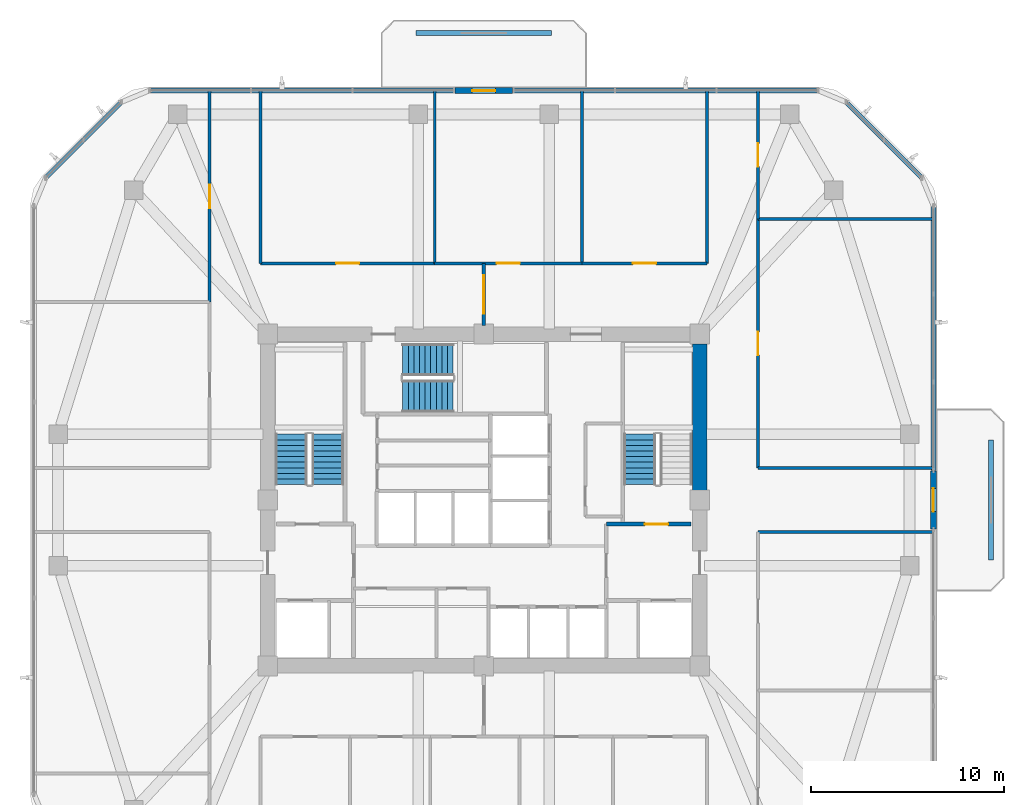
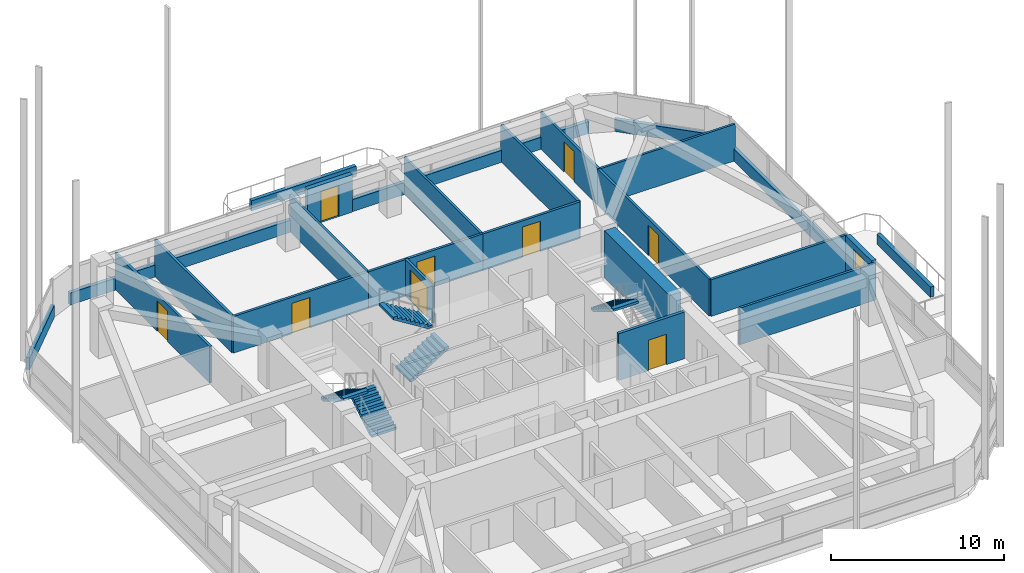
# One storey, part 10 of 14: 25 walls, 10 doors, 5 stair flights, 10 openings, 3 elements without a shape of their own.
"""IFC4 building model written with IfcOpenShell, lengths in metres."""

from ifc_helpers import new_model, si_unit, derived_unit, direction, frame, frame_2d, origin, place, context, subcontext, project, spatial, polyline, rectangle, outline, extrude, material, layer, layer_set, type_object, element, fill, aggregate, save


model = new_model("IFC4")

# Units and contexts
model_context = context("Model", 3, precision=1e-05, world=origin(), true_north=direction((0.0, 1.0)))
body_context = subcontext(model_context, "Body", "Model", "MODEL_VIEW")
ifc_project = project(units=[si_unit("LENGTHUNIT", "METRE"), si_unit("AREAUNIT", "SQUARE_METRE"), si_unit("VOLUMEUNIT", "CUBIC_METRE"), si_unit("PLANEANGLEUNIT", "RADIAN"), si_unit("MASSUNIT", "GRAM", prefix="KILO"), derived_unit("THERMALTRANSMITTANCEUNIT", [(si_unit("POWERUNIT", "WATT"), 1), (si_unit("LENGTHUNIT", "METRE"), -2), (si_unit("THERMODYNAMICTEMPERATUREUNIT", "KELVIN"), -1)])], contexts=[model_context])

# Site, building, storey
site_placement = place(None, origin())
site = spatial("IfcSite", under=ifc_project, at=site_placement, CompositionType="ELEMENT")
building_placement = place(site_placement, origin())
building = spatial("IfcBuilding", under=site, at=building_placement, Name="Koralith Skygarden Medical Center", CompositionType="ELEMENT")
storey_placement = place(building_placement, frame((0.0, 0.0, 174.419921875)))
storey = spatial("IfcBuildingStorey", under=building, at=storey_placement, Name="L45", CompositionType="ELEMENT", Elevation=174.419921875)

# Walls
ifc_material_1 = material(Name="Gypsum Board Partition")
ifc_layer_1 = layer(ifc_material_1, 0.14990234375)
ifc_layer_set_1 = layer_set([ifc_layer_1], Name="Gypsum Board Partition")
wall_type_1 = type_object("IfcWallType", Name="Clinical Acoustic Partition 150", PredefinedType="PARTITIONING", material=ifc_layer_set_1)
for number, where, z_axis, x_axis, name in (
    (1, (34.45703125, 38.159912109375, 0.0), (0.0, 0.0, 1.0), (0.0, 1.0, 0.0), "L45 Clinical Acoustic Partition 150 W-PART-L45-N-01"),
    (2, (42.0859375, 38.159912109375, 0.0), (0.0, 0.0, 1.0), (0.0, 1.0, 0.0), "L45 Clinical Acoustic Partition 150 W-PART-L45-N-02"),
):
    element("IfcWall", number, at=place(storey_placement, frame(where, z_axis=z_axis, x_axis=x_axis)), inside=storey, type_object=wall_type_1, Name=name, PredefinedType="PARTITIONING", context=body_context, shape_type="SweptSolid", body=[
        extrude(rectangle(XDim=8.940185546875, YDim=0.14990234375, at=frame_2d((4.47021484375, 0.0))), origin(), (0.0, 0.0, 1.0), 2.590087890625),
    ])
wall_1_placement = place(storey_placement, frame((51.2099609375, 40.4560546875, 0.0), z_axis=(0.0, 0.0, 1.0), x_axis=(1.0, 0.0, 0.0)))
element("IfcWall", 3, at=wall_1_placement, inside=storey, type_object=wall_type_1, Name="L45 Clinical Acoustic Partition 150 W-PART-L45-EN-01", PredefinedType="PARTITIONING", context=body_context, shape_type="SweptSolid", body=[
    extrude(rectangle(XDim=9.073974609375, YDim=0.14990234375, at=frame_2d((4.537109375, 0.0))), origin(), (0.0, 0.0, 1.0), 2.590087890625),
])
ifc_layer_2 = layer(ifc_material_1, 0.1650390625)
ifc_layer_set_2 = layer_set([ifc_layer_2], Name="Gypsum Board Partition")
wall_type_2 = type_object("IfcWallType", Name="Clinical Corridor Partition 165", PredefinedType="PARTITIONING", material=ifc_layer_set_2)
for number, where, z_axis, x_axis, name in (
    (4, (25.429931640625, 38.159912109375, 0.0), (0.0, 0.0, 1.0), (0.0, 1.0, 0.0), "L45 Clinical Corridor Partition 165 W-HCOR-L45-NW"),
    (5, (48.570068359375, 38.159912109375, 0.0), (0.0, 0.0, 1.0), (0.0, 1.0, 0.0), "L45 Clinical Corridor Partition 165 W-HCOR-L45-NE"),
):
    element("IfcWall", number, at=place(storey_placement, frame(where, z_axis=z_axis, x_axis=x_axis)), inside=storey, type_object=wall_type_2, Name=name, PredefinedType="PARTITIONING", context=body_context, shape_type="SweptSolid", body=[
        extrude(rectangle(XDim=8.940185546875, YDim=0.1650390625, at=frame_2d((4.47021484375, 0.0))), origin(), (0.0, 0.0, 1.0), 2.590087890625),
    ])
for number, where, z_axis, x_axis, name in (
    (6, (51.2099609375, 24.239990234375, 0.0), (0.0, 0.0, 1.0), (1.0, 0.0, 0.0), "L45 Clinical Corridor Partition 165 W-HCOR-L45-EWS-E"),
    (7, (51.2099609375, 27.56005859375, 0.0), (0.0, 0.0, 1.0), (1.0, 0.0, 0.0), "L45 Clinical Corridor Partition 165 W-HCOR-L45-EWN-E"),
):
    element("IfcWall", number, at=place(storey_placement, frame(where, z_axis=z_axis, x_axis=x_axis)), inside=storey, type_object=wall_type_2, Name=name, PredefinedType="PARTITIONING", context=body_context, shape_type="SweptSolid", body=[
        extrude(rectangle(XDim=9.073974609375, YDim=0.1650390625, at=frame_2d((4.537109375, 0.0))), origin(), (0.0, 0.0, 1.0), 2.590087890625),
    ])

# Wall, opening, door
wall_2_placement = place(storey_placement, frame((25.429931640625, 38.159912109375, 0.0), z_axis=(0.0, 0.0, 1.0), x_axis=(1.0, 0.0, 0.0)))
wall_2 = element("IfcWall", 8, at=wall_2_placement, inside=storey, type_object=wall_type_2, Name="L45 Clinical Corridor Partition 165 W-CORR-L45-N-01", PredefinedType="PARTITIONING", context=body_context, shape_type="SweptSolid", body=[
    extrude(rectangle(XDim=9.027099609375, YDim=0.1650390625, at=frame_2d((4.513671875, 0.0))), origin(), (0.0, 0.0, 1.0), 2.590087890625),
])
opening_1_placement = place(wall_2_placement, frame((3.9140625, 0.0, 0.0)))
opening_1 = element("IfcOpeningElement", 9, at=opening_1_placement, cuts=wall_2, Name="Opening D-CLN", PredefinedType="OPENING", context=body_context, shape_type="SweptSolid", body=[
    extrude(rectangle(XDim=1.199951171875, YDim=2.14990234375, at=frame_2d((0.60009765625, 1.074951171875))), frame((0.0, 0.092529296875, 0.0), z_axis=(0.0, -1.0, 0.0), x_axis=(1.0, 0.0, 0.0)), (0.0, 0.0, 1.0), 0.18505859375),
])
ifc_material_2 = material(Name="Aluminium 6063-T6", Category="aluminium")
door_type_1 = type_object("IfcDoorType", Name="Clinical Corridor Door D-CLN 1200", OperationType="NOTDEFINED", PredefinedType="DOOR", material=ifc_material_2)
door_1_placement = place(opening_1_placement, origin())
door_1 = element("IfcDoor", 10, at=door_1_placement, inside=storey, type_object=door_type_1, Name="L45 Surgical Morbidity Seminar Room 01 Door", OperationType="SINGLE_SWING_RIGHT", OverallHeight=2.14990234375, OverallWidth=1.199951171875, PredefinedType="DOOR", context=body_context, shape_type="SweptSolid", body=[
    extrude(rectangle(XDim=1.199951171875, YDim=2.14990234375, at=frame_2d((0.60009765625, 1.074951171875))), frame((0.0, 0.02490234375, 0.0), z_axis=(0.0, -1.0, 0.0), x_axis=(1.0, 0.0, 0.0)), (0.0, 0.0, 1.0), 0.050048828125),
])
fill(opening_1, door_1)

wall_3_placement = place(storey_placement, frame((34.45703125, 38.159912109375, 0.0), z_axis=(0.0, 0.0, 1.0), x_axis=(1.0, 0.0, 0.0)))
wall_3 = element("IfcWall", 11, at=wall_3_placement, inside=storey, type_object=wall_type_2, Name="L45 Clinical Corridor Partition 165 W-CORR-L45-N-02", PredefinedType="PARTITIONING", context=body_context, shape_type="SweptSolid", body=[
    extrude(rectangle(XDim=7.62890625, YDim=0.1650390625, at=frame_2d((3.814453125, 0.0))), origin(), (0.0, 0.0, 1.0), 2.590087890625),
])
opening_2_placement = place(wall_3_placement, frame((3.214111328125, 0.0, 0.0)))
opening_2 = element("IfcOpeningElement", 12, at=opening_2_placement, cuts=wall_3, Name="Opening D-CLN", PredefinedType="OPENING", context=body_context, shape_type="SweptSolid", body=[
    extrude(rectangle(XDim=1.199951171875, YDim=2.14990234375, at=frame_2d((0.60009765625, 1.074951171875))), frame((0.0, 0.092529296875, 0.0), z_axis=(0.0, -1.0, 0.0), x_axis=(1.0, 0.0, 0.0)), (0.0, 0.0, 1.0), 0.18505859375),
])
door_2_placement = place(opening_2_placement, origin())
door_2 = element("IfcDoor", 13, at=door_2_placement, inside=storey, type_object=door_type_1, Name="L45 Patient and Family Sky-Garden Day Lounge 02 Door", OperationType="SINGLE_SWING_LEFT", OverallHeight=2.14990234375, OverallWidth=1.199951171875, PredefinedType="DOOR", context=body_context, shape_type="SweptSolid", body=[
    extrude(rectangle(XDim=1.199951171875, YDim=2.14990234375, at=frame_2d((0.60009765625, 1.074951171875))), frame((0.0, 0.02490234375, 0.0), z_axis=(0.0, -1.0, 0.0), x_axis=(1.0, 0.0, 0.0)), (0.0, 0.0, 1.0), 0.050048828125),
])
fill(opening_2, door_2)

wall_4_placement = place(storey_placement, frame((42.0859375, 38.159912109375, 0.0), z_axis=(0.0, 0.0, 1.0), x_axis=(1.0, 0.0, 0.0)))
wall_4 = element("IfcWall", 14, at=wall_4_placement, inside=storey, type_object=wall_type_2, Name="L45 Clinical Corridor Partition 165 W-CORR-L45-N-03", PredefinedType="PARTITIONING", context=body_context, shape_type="SweptSolid", body=[
    extrude(rectangle(XDim=6.484130859375, YDim=0.1650390625, at=frame_2d((3.2421875, 0.0))), origin(), (0.0, 0.0, 1.0), 2.590087890625),
])
opening_3_placement = place(wall_4_placement, frame((2.64208984375, 0.0, 0.0)))
opening_3 = element("IfcOpeningElement", 15, at=opening_3_placement, cuts=wall_4, Name="Opening D-CLN", PredefinedType="OPENING", context=body_context, shape_type="SweptSolid", body=[
    extrude(rectangle(XDim=1.199951171875, YDim=2.14990234375, at=frame_2d((0.60009765625, 1.074951171875))), frame((0.0, 0.092529296875, 0.0), z_axis=(0.0, -1.0, 0.0), x_axis=(1.0, 0.0, 0.0)), (0.0, 0.0, 1.0), 0.18505859375),
])
door_3_placement = place(opening_3_placement, origin())
door_3 = element("IfcDoor", 16, at=door_3_placement, inside=storey, type_object=door_type_1, Name="L45 Endoscopy Scope Supply Store 03 Door", OperationType="SINGLE_SWING_RIGHT", OverallHeight=2.14990234375, OverallWidth=1.199951171875, PredefinedType="DOOR", context=body_context, shape_type="SweptSolid", body=[
    extrude(rectangle(XDim=1.199951171875, YDim=2.14990234375, at=frame_2d((0.60009765625, 1.074951171875))), frame((0.0, 0.02490234375, 0.0), z_axis=(0.0, -1.0, 0.0), x_axis=(1.0, 0.0, 0.0)), (0.0, 0.0, 1.0), 0.050048828125),
])
fill(opening_3, door_3)

wall_5_placement = place(storey_placement, frame((22.7900390625, 36.157958984375, 0.0), z_axis=(0.0, 0.0, 1.0), x_axis=(0.0, 1.0, 0.0)))
wall_5 = element("IfcWall", 17, at=wall_5_placement, inside=storey, type_object=wall_type_2, Name="L45 Clinical Corridor Partition 165 W-CORR-L45-WN-02", PredefinedType="PARTITIONING", context=body_context, shape_type="SweptSolid", body=[
    extrude(rectangle(XDim=10.942138671875, YDim=0.1650390625, at=frame_2d((5.47119140625, 0.0))), origin(), (0.0, 0.0, 1.0), 2.590087890625),
])
opening_4_placement = place(wall_5_placement, frame((4.87109375, 0.0, 0.0)))
opening_4 = element("IfcOpeningElement", 18, at=opening_4_placement, cuts=wall_5, Name="Opening D-CLN", PredefinedType="OPENING", context=body_context, shape_type="SweptSolid", body=[
    extrude(rectangle(XDim=1.199951171875, YDim=2.14990234375, at=frame_2d((0.60009765625, 1.074951171875))), frame((0.0, 0.092529296875, 0.0), z_axis=(0.0, -1.0, 0.0), x_axis=(1.0, 0.0, 0.0)), (0.0, 0.0, 1.0), 0.18505859375),
])
door_4_placement = place(opening_4_placement, frame((1.199951171875, 0.0, 0.0), z_axis=(0.0, 0.0, 1.0), x_axis=(-1.0, 0.0, 0.0)))
door_4 = element("IfcDoor", 19, at=door_4_placement, inside=storey, type_object=door_type_1, Name="L45 Sterile Pack Store 12 Door", OperationType="SINGLE_SWING_LEFT", OverallHeight=2.14990234375, OverallWidth=1.199951171875, PredefinedType="DOOR", context=body_context, shape_type="SweptSolid", body=[
    extrude(rectangle(XDim=1.199951171875, YDim=2.14990234375, at=frame_2d((0.60009765625, 1.074951171875))), frame((0.0, 0.02490234375, 0.0), z_axis=(0.0, -1.0, 0.0), x_axis=(1.0, 0.0, 0.0)), (0.0, 0.0, 1.0), 0.050048828125),
])
fill(opening_4, door_4)

wall_6_placement = place(storey_placement, frame((51.2099609375, 27.56005859375, 0.0), z_axis=(0.0, 0.0, 1.0), x_axis=(0.0, 1.0, 0.0)))
wall_6 = element("IfcWall", 20, at=wall_6_placement, inside=storey, type_object=wall_type_2, Name="L45 Clinical Corridor Partition 165 W-CORR-L45-EN-01", PredefinedType="PARTITIONING", context=body_context, shape_type="SweptSolid", body=[
    extrude(rectangle(XDim=12.89599609375, YDim=0.1650390625, at=frame_2d((6.447998046875, 0.0))), origin(), (0.0, 0.0, 1.0), 2.590087890625),
])
opening_5_placement = place(wall_6_placement, frame((5.847900390625, 0.0, 0.0)))
opening_5 = element("IfcOpeningElement", 21, at=opening_5_placement, cuts=wall_6, Name="Opening D-CLN", PredefinedType="OPENING", context=body_context, shape_type="SweptSolid", body=[
    extrude(rectangle(XDim=1.199951171875, YDim=2.14990234375, at=frame_2d((0.60009765625, 1.074951171875))), frame((0.0, 0.092529296875, 0.0), z_axis=(0.0, -1.0, 0.0), x_axis=(1.0, 0.0, 0.0)), (0.0, 0.0, 1.0), 0.18505859375),
])
door_5_placement = place(opening_5_placement, origin())
door_5 = element("IfcDoor", 22, at=door_5_placement, inside=storey, type_object=door_type_1, Name="L45 Endoscopy Scope Supply Store 15 Door", OperationType="SINGLE_SWING_RIGHT", OverallHeight=2.14990234375, OverallWidth=1.199951171875, PredefinedType="DOOR", context=body_context, shape_type="SweptSolid", body=[
    extrude(rectangle(XDim=1.199951171875, YDim=2.14990234375, at=frame_2d((0.60009765625, 1.074951171875))), frame((0.0, 0.02490234375, 0.0), z_axis=(0.0, -1.0, 0.0), x_axis=(1.0, 0.0, 0.0)), (0.0, 0.0, 1.0), 0.050048828125),
])
fill(opening_5, door_5)

wall_7_placement = place(storey_placement, frame((51.2099609375, 40.4560546875, 0.0), z_axis=(0.0, 0.0, 1.0), x_axis=(0.0, 1.0, 0.0)))
wall_7 = element("IfcWall", 23, at=wall_7_placement, inside=storey, type_object=wall_type_2, Name="L45 Clinical Corridor Partition 165 W-CORR-L45-EN-02", PredefinedType="PARTITIONING", context=body_context, shape_type="SweptSolid", body=[
    extrude(rectangle(XDim=6.64404296875, YDim=0.1650390625, at=frame_2d((3.322021484375, 0.0))), origin(), (0.0, 0.0, 1.0), 2.590087890625),
])
opening_6_placement = place(wall_7_placement, frame((2.721923828125, 0.0, 0.0)))
opening_6 = element("IfcOpeningElement", 24, at=opening_6_placement, cuts=wall_7, Name="Opening D-CLN", PredefinedType="OPENING", context=body_context, shape_type="SweptSolid", body=[
    extrude(rectangle(XDim=1.199951171875, YDim=2.14990234375, at=frame_2d((0.60009765625, 1.074951171875))), frame((0.0, 0.092529296875, 0.0), z_axis=(0.0, -1.0, 0.0), x_axis=(1.0, 0.0, 0.0)), (0.0, 0.0, 1.0), 0.18505859375),
])
door_6_placement = place(opening_6_placement, origin())
door_6 = element("IfcDoor", 25, at=door_6_placement, inside=storey, type_object=door_type_1, Name="L45 Sterile Pack Store 16 Door", OperationType="SINGLE_SWING_LEFT", OverallHeight=2.14990234375, OverallWidth=1.199951171875, PredefinedType="DOOR", context=body_context, shape_type="SweptSolid", body=[
    extrude(rectangle(XDim=1.199951171875, YDim=2.14990234375, at=frame_2d((0.60009765625, 1.074951171875))), frame((0.0, 0.02490234375, 0.0), z_axis=(0.0, -1.0, 0.0), x_axis=(1.0, 0.0, 0.0)), (0.0, 0.0, 1.0), 0.050048828125),
])
fill(opening_6, door_6)

ifc_layer_3 = layer(ifc_material_1, 0.179931640625)
ifc_layer_set_3 = layer_set([ifc_layer_3], Name="Gypsum Board Partition")
wall_type_3 = type_object("IfcWallType", Name="Group I-2 Smoke Barrier Wall 180", PredefinedType="PARTITIONING", material=ifc_layer_set_3)
wall_8_placement = place(storey_placement, frame((37.0, 34.949951171875, 0.0), z_axis=(0.0, 0.0, 1.0), x_axis=(0.0, 1.0, 0.0)))
wall_8 = element("IfcWall", 26, at=wall_8_placement, inside=storey, type_object=wall_type_3, Name="L45 Group I-2 Smoke Barrier Wall 180 W-SMK-L45-N", PredefinedType="PARTITIONING", context=body_context, shape_type="SweptSolid", body=[
    extrude(rectangle(XDim=3.2099609375, YDim=0.179931640625, at=frame_2d((1.60498046875, 0.0))), origin(), (0.0, 0.0, 1.0), 2.590087890625),
])
opening_7_placement = place(wall_8_placement, frame((0.60498046875, 0.0, 0.0)))
opening_7 = element("IfcOpeningElement", 27, at=opening_7_placement, cuts=wall_8, Name="Opening D-SMK", PredefinedType="OPENING", context=body_context, shape_type="SweptSolid", body=[
    extrude(rectangle(XDim=2.0, YDim=2.199951171875, at=frame_2d((1.0, 1.10009765625))), frame((0.0, 0.099853515625, 0.0), z_axis=(0.0, -1.0, 0.0), x_axis=(1.0, 0.0, 0.0)), (0.0, 0.0, 1.0), 0.199951171875),
])
ifc_material_3 = material(Name="Steel ASTM A500 Grade C", Category="steel")
door_type_2 = type_object("IfcDoorType", Name="Cross-Corridor Double Smoke Door FD60S 2000", OperationType="NOTDEFINED", PredefinedType="DOOR", material=ifc_material_3)
door_7_placement = place(opening_7_placement, origin())
door_7 = element("IfcDoor", 28, at=door_7_placement, inside=storey, type_object=door_type_2, Name="L45 N Smoke Compartment Cross-Corridor Door", OperationType="DOUBLE_DOOR_SINGLE_SWING", OverallHeight=2.199951171875, OverallWidth=2.0, PredefinedType="DOOR", context=body_context, shape_type="SweptSolid", body=[
    extrude(rectangle(XDim=2.0, YDim=2.199951171875, at=frame_2d((1.0, 1.10009765625))), frame((0.0, 0.02490234375, 0.0), z_axis=(0.0, -1.0, 0.0), x_axis=(1.0, 0.0, 0.0)), (0.0, 0.0, 1.0), 0.050048828125),
])
fill(opening_7, door_7)

# Walls
ifc_material_4 = material(Name="Warm Oolitic Limestone Cladding", Category="masonry")
ifc_layer_4 = layer(ifc_material_4, 0.239990234375)
ifc_layer_set_4 = layer_set([ifc_layer_4], Name="Warm Oolitic Limestone Cladding")
wall_type_4 = type_object("IfcWallType", Name="Limestone Spandrel Sill Backup Wall 240", PredefinedType="SOLIDWALL", material=ifc_layer_set_4)
wall_9_placement = place(storey_placement, frame((60.303955078125, 27.43994140625, 0.0), z_axis=(0.0, 0.0, 1.0), x_axis=(0.0, 1.0, 0.0)))
element("IfcWall", 29, at=wall_9_placement, inside=storey, type_object=wall_type_4, Name="L45 Sill Spandrel E-R", PredefinedType="SOLIDWALL", context=body_context, shape_type="SweptSolid", body=[
    extrude(rectangle(XDim=13.705078125, YDim=0.239990234375, at=frame_2d((6.8525390625, 0.0))), origin(), (0.0, 0.0, 1.0), 0.85009765625),
])
wall_10_placement = place(storey_placement, frame((59.702880859375, 42.595947265625, 0.0), z_axis=(0.0, 0.0, 1.0), x_axis=(-0.707084777957, 0.707128783731, 0.0)))
element("IfcWall", 30, at=wall_10_placement, inside=storey, type_object=wall_type_4, Name="L45 Sill Spandrel NE", PredefinedType="SOLIDWALL", context=body_context, shape_type="SweptSolid", body=[
    extrude(rectangle(XDim=5.5478515625, YDim=0.239990234375, at=frame_2d((2.77392578125, 0.0))), origin(), (0.0, 0.0, 1.0), 0.85009765625),
])
wall_11_placement = place(storey_placement, frame((54.3291015625, 47.1201171875, 0.0), z_axis=(0.0, 0.0, 1.0), x_axis=(-1.0, 0.0, 0.0)))
element("IfcWall", 31, at=wall_11_placement, inside=storey, type_object=wall_type_4, Name="L45 Sill Spandrel N-L", PredefinedType="SOLIDWALL", context=body_context, shape_type="SweptSolid", body=[
    extrude(rectangle(XDim=15.7880859375, YDim=0.239990234375, at=frame_2d((7.89404296875, 0.0))), origin(), (0.0, 0.0, 1.0), 0.85009765625),
])
wall_12_placement = place(storey_placement, frame((35.4609375, 47.1201171875, 0.0), z_axis=(0.0, 0.0, 1.0), x_axis=(-1.0, 0.0, 0.0)))
element("IfcWall", 32, at=wall_12_placement, inside=storey, type_object=wall_type_4, Name="L45 Sill Spandrel N-R", PredefinedType="SOLIDWALL", context=body_context, shape_type="SweptSolid", body=[
    extrude(rectangle(XDim=15.7900390625, YDim=0.239990234375, at=frame_2d((7.89501953125, 0.0))), origin(), (0.0, 0.0, 1.0), 0.85009765625),
])
wall_13_placement = place(storey_placement, frame((18.219970703125, 46.51904296875, 0.0), z_axis=(0.0, 0.0, 1.0), x_axis=(-0.707084777957, -0.707128783731, 0.0)))
element("IfcWall", 33, at=wall_13_placement, inside=storey, type_object=wall_type_4, Name="L45 Sill Spandrel NW", PredefinedType="SOLIDWALL", context=body_context, shape_type="SweptSolid", body=[
    extrude(rectangle(XDim=5.5478515625, YDim=0.239990234375, at=frame_2d((2.77392578125, 0.0))), origin(), (0.0, 0.0, 1.0), 0.85009765625),
])
ifc_material_5 = material(Name="Concrete C70/85", Category="concrete")
ifc_layer_5 = layer(ifc_material_5, 0.75)
ifc_layer_set_5 = layer_set([ifc_layer_5], Name="Concrete C70/85")
wall_type_5 = type_object("IfcWallType", Name="Mid Core Shear Wall 750", PredefinedType="SHEAR", material=ifc_layer_set_5)
wall_14_placement = place(storey_placement, frame((48.199951171875, 26.405029296875, 0.0), z_axis=(0.0, 0.0, 1.0), x_axis=(0.0, 1.0, 0.0)))
element("IfcWall", 34, at=wall_14_placement, inside=storey, type_object=wall_type_5, Name="L45 Core Shear Wall Segment 4", PredefinedType="SHEAR", context=body_context, shape_type="SweptSolid", body=[
    extrude(rectangle(XDim=7.590087890625, YDim=0.75, at=frame_2d((3.794921875, 0.0))), origin(), (0.0, 0.0, 1.0), 3.300048828125),
])

# Wall, opening, door
ifc_layer_6 = layer(ifc_material_4, 0.300048828125)
ifc_layer_set_6 = layer_set([ifc_layer_6], Name="Warm Oolitic Limestone Cladding")
wall_type_6 = type_object("IfcWallType", Name="Oolitic Limestone Insulated Facade Wall 300", PredefinedType="SOLIDWALL", material=ifc_layer_set_6)
wall_15_placement = place(storey_placement, frame((60.303955078125, 24.39990234375, 0.0), z_axis=(0.0, 0.0, 1.0), x_axis=(0.0, 1.0, 0.0)))
wall_15 = element("IfcWall", 35, at=wall_15_placement, inside=storey, type_object=wall_type_6, Name="L45 Terrace Portal Wall E", PredefinedType="SOLIDWALL", context=body_context, shape_type="SweptSolid", body=[
    extrude(rectangle(XDim=3.0, YDim=0.300048828125, at=frame_2d((1.5, 0.0))), origin(), (0.0, 0.0, 1.0), 2.650146484375),
])
opening_8_placement = place(wall_15_placement, frame((0.89990234375, 0.0, 0.0)))
opening_8 = element("IfcOpeningElement", 36, at=opening_8_placement, cuts=wall_15, Name="Opening D-BAL", PredefinedType="OPENING", context=body_context, shape_type="SweptSolid", body=[
    extrude(rectangle(XDim=1.199951171875, YDim=2.199951171875, at=frame_2d((0.60009765625, 1.10009765625))), frame((0.0, 0.159912109375, 0.0), z_axis=(0.0, -1.0, 0.0), x_axis=(1.0, 0.0, 0.0)), (0.0, 0.0, 1.0), 0.320068359375),
])
door_type_3 = type_object("IfcDoorType", Name="Planted Balcony Glazed Terrace Door D-BAL 1200", OperationType="NOTDEFINED", PredefinedType="DOOR", material=ifc_material_2)
door_8_placement = place(opening_8_placement, origin())
door_8 = element("IfcDoor", 37, at=door_8_placement, inside=storey, type_object=door_type_3, Name="L45 E Outdoor Terrace Access Door", OperationType="SINGLE_SWING_RIGHT", OverallHeight=2.199951171875, OverallWidth=1.199951171875, PredefinedType="DOOR", context=body_context, shape_type="SweptSolid", body=[
    extrude(rectangle(XDim=1.199951171875, YDim=2.199951171875, at=frame_2d((0.60009765625, 1.10009765625))), frame((0.0, 0.02490234375, 0.0), z_axis=(0.0, -1.0, 0.0), x_axis=(1.0, 0.0, 0.0)), (0.0, 0.0, 1.0), 0.050048828125),
])
fill(opening_8, door_8)

wall_16_placement = place(storey_placement, frame((38.5009765625, 47.1201171875, 0.0), z_axis=(0.0, 0.0, 1.0), x_axis=(-1.0, 0.0, 0.0)))
wall_16 = element("IfcWall", 38, at=wall_16_placement, inside=storey, type_object=wall_type_6, Name="L45 Terrace Portal Wall N", PredefinedType="SOLIDWALL", context=body_context, shape_type="SweptSolid", body=[
    extrude(rectangle(XDim=3.0, YDim=0.300048828125, at=frame_2d((1.5, 0.0))), origin(), (0.0, 0.0, 1.0), 2.650146484375),
])
opening_9_placement = place(wall_16_placement, frame((0.89990234375, 0.0, 0.0)))
opening_9 = element("IfcOpeningElement", 39, at=opening_9_placement, cuts=wall_16, Name="Opening D-BAL", PredefinedType="OPENING", context=body_context, shape_type="SweptSolid", body=[
    extrude(rectangle(XDim=1.199951171875, YDim=2.199951171875, at=frame_2d((0.60009765625, 1.10009765625))), frame((0.0, 0.159912109375, 0.0), z_axis=(0.0, -1.0, 0.0), x_axis=(1.0, 0.0, 0.0)), (0.0, 0.0, 1.0), 0.320068359375),
])
door_9_placement = place(opening_9_placement, origin())
door_9 = element("IfcDoor", 40, at=door_9_placement, inside=storey, type_object=door_type_3, Name="L45 N Outdoor Terrace Access Door", OperationType="SINGLE_SWING_RIGHT", OverallHeight=2.199951171875, OverallWidth=1.199951171875, PredefinedType="DOOR", context=body_context, shape_type="SweptSolid", body=[
    extrude(rectangle(XDim=1.199951171875, YDim=2.199951171875, at=frame_2d((0.60009765625, 1.10009765625))), frame((0.0, 0.02490234375, 0.0), z_axis=(0.0, -1.0, 0.0), x_axis=(1.0, 0.0, 0.0)), (0.0, 0.0, 1.0), 0.050048828125),
])
fill(opening_9, door_9)

# Walls
ifc_material_6 = material(Name="Precast concrete C40/50", Category="concrete")
ifc_layer_7 = layer(ifc_material_6, 0.25)
ifc_layer_set_7 = layer_set([ifc_layer_7], Name="Precast concrete C40/50")
wall_type_7 = type_object("IfcWallType", Name="Structural Concrete Balcony Planter Kerb 250", PredefinedType="PARAPET", material=ifc_layer_set_7)
wall_17_placement = place(storey_placement, frame((33.5, 50.10009765625, 0.0), z_axis=(0.0, 0.0, 1.0), x_axis=(1.0, 0.0, 0.0)))
element("IfcWall", 41, at=wall_17_placement, inside=storey, type_object=wall_type_7, Name="L45 N Structural Tree PLANTER Box", PredefinedType="PARAPET", context=body_context, shape_type="SweptSolid", body=[
    extrude(rectangle(XDim=7.0, YDim=0.25, at=frame_2d((3.5, 0.0))), origin(), (0.0, 0.0, 1.0), 0.719970703125),
])
wall_18_placement = place(storey_placement, frame((63.283935546875, 22.800048828125, 0.0), z_axis=(0.0, 0.0, 1.0), x_axis=(0.0, 1.0, 0.0)))
element("IfcWall", 42, at=wall_18_placement, inside=storey, type_object=wall_type_7, Name="L45 E Structural Tree PLANTER Box", PredefinedType="PARAPET", context=body_context, shape_type="SweptSolid", body=[
    extrude(rectangle(XDim=6.199951171875, YDim=0.25, at=frame_2d((3.10009765625, 0.0))), origin(), (0.0, 0.0, 1.0), 0.719970703125),
])

# Wall, opening, door
ifc_material_7 = material(Name="Concrete C45/55", Category="concrete")
ifc_layer_8 = layer(ifc_material_7, 0.199951171875)
ifc_layer_set_8 = layer_set([ifc_layer_8], Name="Concrete C45/55")
wall_type_8 = type_object("IfcWallType", Name="Structural Stair Shaft Wall 200", PredefinedType="SHEAR", material=ifc_layer_set_8)
wall_19_placement = place(storey_placement, frame((43.35009765625, 24.64990234375, 0.0), z_axis=(0.0, 0.0, 1.0), x_axis=(1.0, 0.0, 0.0)))
wall_19 = element("IfcWall", 43, at=wall_19_placement, inside=storey, type_object=wall_type_8, Name="L45 Structural Stair Shaft Wall 200 W-CORE-L45-ST2-S", PredefinedType="SHEAR", context=body_context, shape_type="SweptSolid", body=[
    extrude(rectangle(XDim=4.39990234375, YDim=0.199951171875, at=frame_2d((2.199951171875, 0.0))), origin(), (0.0, 0.0, 1.0), 3.300048828125),
])
opening_10_placement = place(wall_19_placement, frame((2.0, 0.0, 0.0)))
opening_10 = element("IfcOpeningElement", 44, at=opening_10_placement, cuts=wall_19, Name="Opening D-ST60", PredefinedType="OPENING", context=body_context, shape_type="SweptSolid", body=[
    extrude(rectangle(XDim=1.199951171875, YDim=2.14990234375, at=frame_2d((0.60009765625, 1.074951171875))), frame((0.0, 0.10986328125, 0.0), z_axis=(0.0, -1.0, 0.0), x_axis=(1.0, 0.0, 0.0)), (0.0, 0.0, 1.0), 0.219970703125),
])
door_type_4 = type_object("IfcDoorType", Name="Smokeproof Stair Fire Door FD60S 1200", OperationType="NOTDEFINED", PredefinedType="DOOR", material=ifc_material_3)
door_10_placement = place(opening_10_placement, origin())
door_10 = element("IfcDoor", 45, at=door_10_placement, inside=storey, type_object=door_type_4, Name="L45 Exit Stair ST2 Fire Door", OperationType="SINGLE_SWING_RIGHT", OverallHeight=2.14990234375, OverallWidth=1.199951171875, PredefinedType="DOOR", context=body_context, shape_type="SweptSolid", body=[
    extrude(rectangle(XDim=1.199951171875, YDim=2.14990234375, at=frame_2d((0.60009765625, 1.074951171875))), frame((0.0, 0.02490234375, 0.0), z_axis=(0.0, -1.0, 0.0), x_axis=(1.0, 0.0, 0.0)), (0.0, 0.0, 1.0), 0.050048828125),
])
fill(opening_10, door_10)

# Stair, stair flights
stair_type = type_object("IfcStairType", Name="Core Exit Dogleg Concrete Stair", PredefinedType="HALF_TURN_STAIR", material=ifc_material_7)
stair_1_placement = place(storey_placement, origin())
stair_1 = element("IfcStair", 46, at=stair_1_placement, inside=storey, type_object=stair_type, Name="L45 Smokeproof Exit Stair ST1", PredefinedType="HALF_TURN_STAIR")
stair_flight_type = type_object("IfcStairFlightType", Name="Core Exit Concrete Stair Flight 1650", PredefinedType="STRAIGHT", material=ifc_material_7)
stair_flight_1_placement = place(storey_placement, frame((28.925048828125, 26.699951171875, 0.0), z_axis=(0.0, 0.0, 1.0), x_axis=(0.0, 1.0, 0.0)))
stair_flight_1 = element("IfcStairFlight", 47, at=stair_flight_1_placement, type_object=stair_flight_type, Name="ST1 flight 1", NumberOfRisers=10, NumberOfTreads=9, PredefinedType="STRAIGHT", RiserHeight=0.18, TreadLength=0.29, context=body_context, shape_type="SweptSolid", body=[
    extrude(outline(polyline([(0.0, 0.0), (0.0, 0.179931640625), (0.2900390625, 0.179931640625), (0.2900390625, 0.360107421875), (0.580078125, 0.360107421875), (0.580078125, 0.5400390625), (0.8701171875, 0.5400390625), (0.8701171875, 0.719970703125), (1.159912109375, 0.719970703125), (1.159912109375, 0.89990234375), (1.449951171875, 0.89990234375), (1.449951171875, 1.080078125), (1.739990234375, 1.080078125), (1.739990234375, 1.260009765625), (2.030029296875, 1.260009765625), (2.030029296875, 1.43994140625), (2.320068359375, 1.43994140625), (2.320068359375, 1.6201171875), (2.610107421875, 1.6201171875), (2.610107421875, 1.800048828125), (2.610107421875, 1.443603515625), (0.2841796875, 0.0), (0.0, 0.0)])), frame((0.0, 0.824951171875, 0.0), z_axis=(0.0, -1.0, 0.0), x_axis=(1.0, 0.0, 0.0)), (0.0, 0.0, 1.0), 1.64990234375),
])
stair_flight_2_placement = place(storey_placement, frame((27.02490234375, 29.31005859375, 1.800048828125), z_axis=(0.0, 0.0, 1.0), x_axis=(0.0, -1.0, 0.0)))
stair_flight_2 = element("IfcStairFlight", 48, at=stair_flight_2_placement, type_object=stair_flight_type, Name="ST1 flight 2", NumberOfRisers=10, NumberOfTreads=9, PredefinedType="STRAIGHT", RiserHeight=0.18, TreadLength=0.29, context=body_context, shape_type="SweptSolid", body=[
    extrude(outline(polyline([(0.0, 0.0), (0.0, 0.179931640625), (0.2900390625, 0.179931640625), (0.2900390625, 0.360107421875), (0.580078125, 0.360107421875), (0.580078125, 0.5400390625), (0.8701171875, 0.5400390625), (0.8701171875, 0.719970703125), (1.159912109375, 0.719970703125), (1.159912109375, 0.89990234375), (1.449951171875, 0.89990234375), (1.449951171875, 1.080078125), (1.739990234375, 1.080078125), (1.739990234375, 1.260009765625), (2.030029296875, 1.260009765625), (2.030029296875, 1.43994140625), (2.320068359375, 1.43994140625), (2.320068359375, 1.6201171875), (2.610107421875, 1.6201171875), (2.610107421875, 1.800048828125), (2.610107421875, 1.443603515625), (0.2841796875, 0.0), (0.0, 0.0)])), frame((0.0, 0.824951171875, 0.0), z_axis=(0.0, -1.0, 0.0), x_axis=(1.0, 0.0, 0.0)), (0.0, 0.0, 1.0), 1.64990234375),
])
aggregate(stair_1, [stair_flight_1, stair_flight_2])

# Stair, stair flight
stair_2_placement = place(storey_placement, origin())
stair_2 = element("IfcStair", 49, at=stair_2_placement, inside=storey, type_object=stair_type, Name="L45 Smokeproof Exit Stair ST2", PredefinedType="HALF_TURN_STAIR")
stair_flight_3_placement = place(storey_placement, frame((45.074951171875, 29.31005859375, 1.800048828125), z_axis=(0.0, 0.0, 1.0), x_axis=(0.0, -1.0, 0.0)))
stair_flight_3 = element("IfcStairFlight", 50, at=stair_flight_3_placement, type_object=stair_flight_type, Name="ST2 flight 2", NumberOfRisers=10, NumberOfTreads=9, PredefinedType="STRAIGHT", RiserHeight=0.18, TreadLength=0.29, context=body_context, shape_type="SweptSolid", body=[
    extrude(outline(polyline([(0.0, 0.0), (0.0, 0.179931640625), (0.2900390625, 0.179931640625), (0.2900390625, 0.360107421875), (0.580078125, 0.360107421875), (0.580078125, 0.5400390625), (0.8701171875, 0.5400390625), (0.8701171875, 0.719970703125), (1.159912109375, 0.719970703125), (1.159912109375, 0.89990234375), (1.449951171875, 0.89990234375), (1.449951171875, 1.080078125), (1.739990234375, 1.080078125), (1.739990234375, 1.260009765625), (2.030029296875, 1.260009765625), (2.030029296875, 1.43994140625), (2.320068359375, 1.43994140625), (2.320068359375, 1.6201171875), (2.610107421875, 1.6201171875), (2.610107421875, 1.800048828125), (2.610107421875, 1.443603515625), (0.2841796875, 0.0), (0.0, 0.0)])), frame((0.0, 0.824951171875, 0.0), z_axis=(0.0, -1.0, 0.0), x_axis=(1.0, 0.0, 0.0)), (0.0, 0.0, 1.0), 1.64990234375),
])
aggregate(stair_2, [stair_flight_3])

# Stair, stair flights
stair_3_placement = place(storey_placement, origin())
stair_3 = element("IfcStair", 51, at=stair_3_placement, inside=storey, type_object=stair_type, Name="L45 Smokeproof Exit Stair ST3", PredefinedType="HALF_TURN_STAIR")
stair_flight_4_placement = place(storey_placement, frame((32.800048828125, 31.27490234375, 0.0), z_axis=(0.0, 0.0, 1.0), x_axis=(1.0, 0.0, 0.0)))
stair_flight_4 = element("IfcStairFlight", 52, at=stair_flight_4_placement, type_object=stair_flight_type, Name="ST3 flight 1", NumberOfRisers=10, NumberOfTreads=9, PredefinedType="STRAIGHT", RiserHeight=0.18, TreadLength=0.29, context=body_context, shape_type="SweptSolid", body=[
    extrude(outline(polyline([(0.0, 0.0), (0.0, 0.179931640625), (0.2900390625, 0.179931640625), (0.2900390625, 0.360107421875), (0.580078125, 0.360107421875), (0.580078125, 0.5400390625), (0.8701171875, 0.5400390625), (0.8701171875, 0.719970703125), (1.159912109375, 0.719970703125), (1.159912109375, 0.89990234375), (1.449951171875, 0.89990234375), (1.449951171875, 1.080078125), (1.739990234375, 1.080078125), (1.739990234375, 1.260009765625), (2.030029296875, 1.260009765625), (2.030029296875, 1.43994140625), (2.320068359375, 1.43994140625), (2.320068359375, 1.6201171875), (2.610107421875, 1.6201171875), (2.610107421875, 1.800048828125), (2.610107421875, 1.443603515625), (0.2841796875, 0.0), (0.0, 0.0)])), frame((0.0, 0.824951171875, 0.0), z_axis=(0.0, -1.0, 0.0), x_axis=(1.0, 0.0, 0.0)), (0.0, 0.0, 1.0), 1.64990234375),
])
stair_flight_5_placement = place(storey_placement, frame((35.409912109375, 33.175048828125, 1.800048828125), z_axis=(0.0, 0.0, 1.0), x_axis=(-1.0, 0.0, 0.0)))
stair_flight_5 = element("IfcStairFlight", 53, at=stair_flight_5_placement, type_object=stair_flight_type, Name="ST3 flight 2", NumberOfRisers=10, NumberOfTreads=9, PredefinedType="STRAIGHT", RiserHeight=0.18, TreadLength=0.29, context=body_context, shape_type="SweptSolid", body=[
    extrude(outline(polyline([(0.0, 0.0), (0.0, 0.179931640625), (0.2900390625, 0.179931640625), (0.2900390625, 0.360107421875), (0.580078125, 0.360107421875), (0.580078125, 0.5400390625), (0.8701171875, 0.5400390625), (0.8701171875, 0.719970703125), (1.159912109375, 0.719970703125), (1.159912109375, 0.89990234375), (1.449951171875, 0.89990234375), (1.449951171875, 1.080078125), (1.739990234375, 1.080078125), (1.739990234375, 1.260009765625), (2.030029296875, 1.260009765625), (2.030029296875, 1.43994140625), (2.320068359375, 1.43994140625), (2.320068359375, 1.6201171875), (2.610107421875, 1.6201171875), (2.610107421875, 1.800048828125), (2.610107421875, 1.443603515625), (0.2841796875, 0.0), (0.0, 0.0)])), frame((0.0, 0.824951171875, 0.0), z_axis=(0.0, -1.0, 0.0), x_axis=(1.0, 0.0, 0.0)), (0.0, 0.0, 1.0), 1.64990234375),
])
aggregate(stair_3, [stair_flight_4, stair_flight_5])

save(model, "model.ifc")
